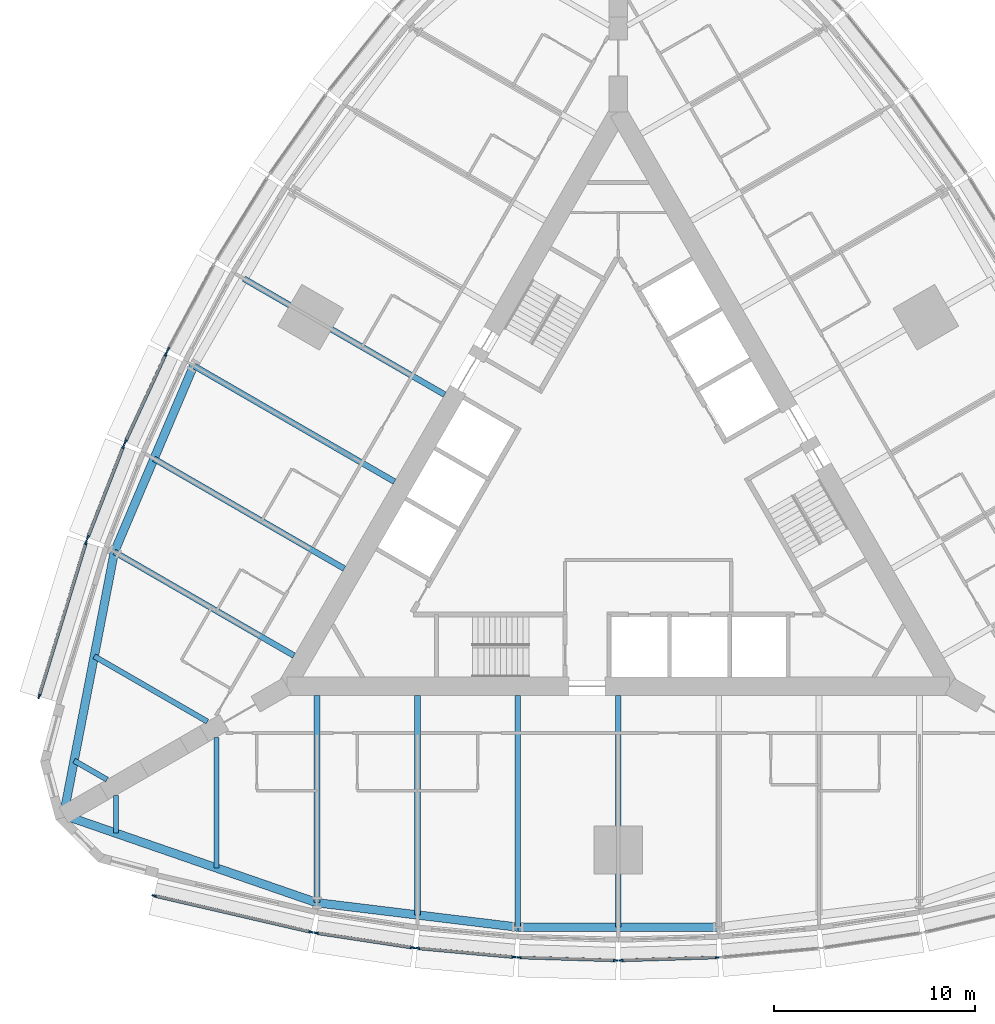
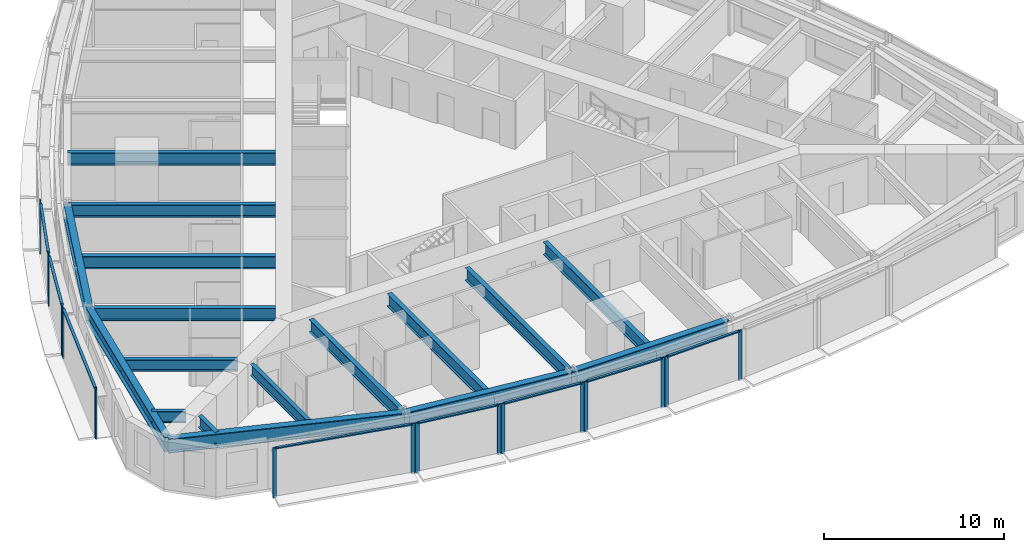
# One storey, part 2 of 14: 25 members, 17 beams, 9 elements without a shape of their own.
"""IFC4 building model written with IfcOpenShell, lengths in metres."""

import ifcopenshell
import ifcopenshell.guid

model = None  # the IFC model being written
_history = None  # IfcOwnerHistory: only IFC2X3 demands one
_inside = {}  # id of a spatial element -> (the spatial element, [elements in it])
_under = {}  # id of a project, library or spatial element -> (it, [spatial elements below it])
_declared = {}  # id of a project -> (the project, [libraries it declares])
_typed = {}  # id of a type object -> (the type object, [elements of that type])
_made_of = {}  # id of a material, layer set ... -> (it, [elements and type objects made of it])


def new_model(schema):
    """Start an empty IFC model of exactly this schema.

    Asked for "IFC4X3", IfcOpenShell would pick the latest addendum, in which some entities
    have other attributes; the version numbers below select the first issue.
    IFC2X3 requires an IfcOwnerHistory on every rooted entity: one is made here for all.
    """
    global model, _history
    if schema == "IFC4X3":
        model = ifcopenshell.file(schema_version=(4, 3, 0, 0))
    else:
        model = ifcopenshell.file(schema=schema)
    _inside.clear()
    _under.clear()
    _declared.clear()
    _typed.clear()
    _made_of.clear()
    _history = None
    if model.schema == "IFC2X3":
        org = make("IfcOrganization", Name="unknown")
        user = make(
            "IfcPersonAndOrganization",
            ThePerson=make("IfcPerson", FamilyName="unknown"),
            TheOrganization=org,
        )
        app = make(
            "IfcApplication",
            ApplicationDeveloper=org,
            Version="unknown",
            ApplicationFullName="unknown",
            ApplicationIdentifier="unknown",
        )
        _history = make(
            "IfcOwnerHistory",
            OwningUser=user,
            OwningApplication=app,
            ChangeAction="ADDED",
            CreationDate=0,
        )
    return model


def make(cls, **values):
    """One entity of the class cls with the attributes given. An attribute that is None is left unset."""
    return model.create_entity(
        cls, **{name: value for name, value in values.items() if value is not None}
    )


def rooted(cls, **values):
    """An entity with a GlobalId (a new one), such as an element, a storey or a relation."""
    return make(cls, GlobalId=ifcopenshell.guid.new(), OwnerHistory=_history, **values)


def si_unit(unit_type, name, prefix=None):
    """IfcSIUnit, for example si_unit("LENGTHUNIT", "METRE", prefix="MILLI")."""
    return make("IfcSIUnit", UnitType=unit_type, Prefix=prefix, Name=name)


def assignment(units):
    """IfcUnitAssignment: the units of a project."""
    return None if units is None else make("IfcUnitAssignment", Units=units)


def point(xyz):
    """IfcCartesianPoint."""
    return None if xyz is None else make("IfcCartesianPoint", Coordinates=xyz)


def direction(xyz):
    """IfcDirection."""
    return None if xyz is None else make("IfcDirection", DirectionRatios=xyz)


def frame(location, z_axis=None, x_axis=None):
    """IfcAxis2Placement3D, a coordinate frame: its origin and axes. An axis left out is left unset."""
    return make(
        "IfcAxis2Placement3D",
        Location=point(location),
        Axis=direction(z_axis),
        RefDirection=direction(x_axis),
    )


def frame_2d(location, x_axis=None):
    """IfcAxis2Placement2D, a coordinate frame in the plane: its origin and x axis."""
    return make(
        "IfcAxis2Placement2D", Location=point(location), RefDirection=direction(x_axis)
    )


def origin():
    """The frame at (0, 0, 0) with its axes left unset."""
    return frame((0.0, 0.0, 0.0))


def origin_2d():
    """The frame at (0, 0) in the plane with its x axis left unset."""
    return frame_2d((0.0, 0.0))


def place(relative_to, where):
    """IfcLocalPlacement: puts the frame where relative to a parent placement (None: the world)."""
    return make(
        "IfcLocalPlacement", PlacementRelTo=relative_to, RelativePlacement=where
    )


def context(
    kind, dimensions, precision=None, world=None, true_north=None, identifier=None
):
    """IfcGeometricRepresentationContext, for example the 3D "Model" context."""
    return make(
        "IfcGeometricRepresentationContext",
        ContextIdentifier=identifier,
        ContextType=kind,
        CoordinateSpaceDimension=dimensions,
        Precision=precision,
        WorldCoordinateSystem=world,
        TrueNorth=true_north,
    )


def subcontext(parent, identifier, kind, view, scale=None):
    """IfcGeometricRepresentationSubContext, for example "Body" below "Model"."""
    return make(
        "IfcGeometricRepresentationSubContext",
        ContextIdentifier=identifier,
        ContextType=kind,
        ParentContext=parent,
        TargetScale=scale,
        TargetView=view,
    )


def project(units=None, contexts=None):
    """IfcProject with its units and contexts."""
    return rooted(
        "IfcProject",
        Name="project",
        RepresentationContexts=contexts,
        UnitsInContext=assignment(units),
    )


def spatial(cls, under=None, at=None, **own):
    """A site, building, storey or space (cls), placed at a placement, below another one or the project."""
    s = rooted(cls, ObjectPlacement=at, **own)
    if under is not None:
        _under.setdefault(under.id(), (under, []))[1].append(s)
    return s


def profile(cls, at=None, kind="AREA", **sizes):
    """A parametric profile (cls). Its sizes go by their IFC names, for example OverallWidth=200.0."""
    return make(cls, ProfileType=kind, Position=at, **sizes)


def rectangle(**sizes):
    """IfcRectangleProfileDef."""
    return profile("IfcRectangleProfileDef", **sizes)


def i_section(**sizes):
    """IfcIShapeProfileDef."""
    return profile("IfcIShapeProfileDef", **sizes)


def extrude(swept, where, along, depth):
    """IfcExtrudedAreaSolid: the profile swept, set in the frame where, extruded along a direction by depth."""
    return make(
        "IfcExtrudedAreaSolid",
        SweptArea=swept,
        Position=where,
        ExtrudedDirection=direction(along),
        Depth=depth,
    )


def shape(context_of_items, identifier, shape_type, items):
    """IfcShapeRepresentation: the items that make up one representation, for example the "Body"."""
    return make(
        "IfcShapeRepresentation",
        ContextOfItems=context_of_items,
        RepresentationIdentifier=identifier,
        RepresentationType=shape_type,
        Items=items,
    )


def material(Name=None, Category=None):
    """IfcMaterial."""
    return make("IfcMaterial", Name=Name, Category=Category)


def material_profile(
    of_material, cross_section, Name=None, Category=None, Priority=None
):
    """IfcMaterialProfile: a cross section and its material."""
    return make(
        "IfcMaterialProfile",
        Name=Name,
        Material=of_material,
        Profile=cross_section,
        Priority=Priority,
        Category=Category,
    )


def profile_set(profiles, Name=None, composite=None):
    """IfcMaterialProfileSet."""
    return make(
        "IfcMaterialProfileSet",
        Name=Name,
        MaterialProfiles=profiles,
        CompositeProfile=composite,
    )


def made_of(thing, what):
    """Note that an element or type object is made of a material, layer set ...; save() writes the relation."""
    if what is not None:
        _made_of.setdefault(what.id(), (what, []))[1].append(thing)
    return thing


def type_object(cls, material=None, **own):
    """A type object (cls), such as IfcWallType, which elements share."""
    return made_of(rooted(cls, **own), material)


def element(
    cls,
    number,
    at=None,
    inside=None,
    cuts=None,
    type_object=None,
    material=None,
    context=None,
    identifier="Body",
    shape_type=None,
    held_by="IfcProductDefinitionShape",
    body=None,
    shapes=None,
    **own,
):
    """One element of the class cls, such as IfcWall. Its Tag is "e" and its number.

    at: its placement. inside: the storey or other place that contains it. cuts: it is an
    opening in that element (IfcRelVoidsElement). A single representation is given by context,
    identifier, shape_type and body (its items); several are given by shapes. held_by: the class
    of the entity that holds the representations. save() writes the other relations.
    """
    e = rooted(cls, Tag="e%d" % number, ObjectPlacement=at, **own)
    if body is not None:
        shapes = [shape(context, identifier, shape_type, body)]
    if shapes is not None:
        e.Representation = make(held_by, Representations=shapes)
    if inside is not None:
        _inside.setdefault(inside.id(), (inside, []))[1].append(e)
    if cuts is not None:
        rooted(
            "IfcRelVoidsElement", RelatingBuildingElement=cuts, RelatedOpeningElement=e
        )
    if type_object is not None:
        _typed.setdefault(type_object.id(), (type_object, []))[1].append(e)
    return made_of(e, material)


def aggregate(whole, parts):
    """IfcRelAggregates: a whole, such as a stair, and the parts it consists of."""
    return rooted("IfcRelAggregates", RelatingObject=whole, RelatedObjects=parts)


def save(model, path):
    """Write the relations noted so far, then the file.

    IfcRelAggregates (storeys below a building ...), IfcRelContainedInSpatialStructure (elements
    in a storey), IfcRelDefinesByType, IfcRelAssociatesMaterial and IfcRelDeclares: one each for
    every whole, place, type object, material and project.
    """
    for whole, parts in _under.values():
        aggregate(whole, parts)
    for where, things in _inside.values():
        rooted(
            "IfcRelContainedInSpatialStructure",
            RelatedElements=things,
            RelatingStructure=where,
        )
    for kind, things in _typed.values():
        rooted("IfcRelDefinesByType", RelatedObjects=things, RelatingType=kind)
    for what, things in _made_of.values():
        rooted("IfcRelAssociatesMaterial", RelatedObjects=things, RelatingMaterial=what)
    for by, libraries in _declared.values():
        rooted("IfcRelDeclares", RelatingContext=by, RelatedDefinitions=libraries)
    model.write(path)


model = new_model("IFC4")

# Units and contexts
model_context = context("Model", 3, precision=1e-05, world=origin(), true_north=direction((0.0, 1.0)))
body_context = subcontext(model_context, "Body", "Model", "MODEL_VIEW")
ifc_project = project(units=[si_unit("LENGTHUNIT", "METRE"), si_unit("AREAUNIT", "SQUARE_METRE"), si_unit("VOLUMEUNIT", "CUBIC_METRE"), si_unit("PLANEANGLEUNIT", "RADIAN"), si_unit("MASSUNIT", "GRAM", prefix="KILO")], contexts=[model_context])

# Site, building, storey
site_placement = place(None, origin())
site = spatial("IfcSite", under=ifc_project, at=site_placement, CompositionType="ELEMENT")
building_placement = place(site_placement, origin())
building = spatial("IfcBuilding", under=site, at=building_placement, Name="Trikona Tower", CompositionType="ELEMENT")
storey_placement = place(building_placement, frame((0.0, 0.0, 42.10009765625)))
storey = spatial("IfcBuildingStorey", under=building, at=storey_placement, Name="L09", CompositionType="ELEMENT", Elevation=42.10009765625)

# Curtain wall, members
ifc_material_1 = material(Name="Aluminium curtain wall system", Category="aluminium")
curtain_wall_type = type_object("IfcCurtainWallType", Name="Curtain wall DS1", PredefinedType="NOTDEFINED", material=ifc_material_1)
curtain_wall_1_placement = place(storey_placement, origin())
curtain_wall_1 = element("IfcCurtainWall", 1, at=curtain_wall_1_placement, inside=storey, type_object=curtain_wall_type, Name="Curtain wall DS1 L09", PredefinedType="NOTDEFINED")
ifc_material_2 = material(Name="Aluminium mullion, pale anodised", Category="aluminium")
ifc_material_profile_1 = material_profile(ifc_material_2, rectangle(XDim=0.080078125, YDim=0.219970703125, at=origin_2d()), Name="MUL-DS1")
ifc_profile_set_1 = profile_set([ifc_material_profile_1], Name="Aluminium mullion, pale anodised")
member_type_1 = type_object("IfcMemberType", Name="Mullion DS1 80x220", PredefinedType="MULLION", material=ifc_profile_set_1)
member_1_placement = place(storey_placement, frame((-23.10546875, -19.951904296875, 0.0), z_axis=(0.0, 0.0, 1.0), x_axis=(0.225343288756, 0.974279427173, 0.0)))
member_1 = element("IfcMember", 2, at=member_1_placement, type_object=member_type_1, Name="CW-DS1 mullion 1", PredefinedType="MULLION", context=body_context, shape_type="SweptSolid", body=[
    extrude(rectangle(XDim=0.080078125, YDim=0.219970703125, at=origin_2d()), origin(), (0.0, 0.0, 1.0), 3.39990234375),
])
member_2_placement = place(storey_placement, frame((-15.30029296875, -21.75732421875, 0.0), z_axis=(0.0, 0.0, 1.0), x_axis=(0.225343288756, 0.974279427173, 0.0)))
member_2 = element("IfcMember", 3, at=member_2_placement, type_object=member_type_1, Name="CW-DS1 mullion 2", PredefinedType="MULLION", context=body_context, shape_type="SweptSolid", body=[
    extrude(rectangle(XDim=0.080078125, YDim=0.219970703125, at=origin_2d()), origin(), (0.0, 0.0, 1.0), 3.39990234375),
])

curtain_wall_2_placement = place(storey_placement, origin())
curtain_wall_2 = element("IfcCurtainWall", 4, at=curtain_wall_2_placement, inside=storey, type_object=curtain_wall_type, Name="Curtain wall DS1 L09", PredefinedType="NOTDEFINED")
member_3_placement = place(storey_placement, frame((-15.03662109375, -21.807861328125, 0.0), z_axis=(0.0, 0.0, 1.0), x_axis=(0.150437693845, 0.988619492156, 0.0)))
member_3 = element("IfcMember", 5, at=member_3_placement, type_object=member_type_1, Name="CW-DS1 mullion 1", PredefinedType="MULLION", context=body_context, shape_type="SweptSolid", body=[
    extrude(rectangle(XDim=0.080078125, YDim=0.219970703125, at=origin_2d()), origin(), (0.0, 0.0, 1.0), 3.39990234375),
])
member_4_placement = place(storey_placement, frame((-10.234130859375, -22.53857421875, 0.0), z_axis=(0.0, 0.0, 1.0), x_axis=(0.150437693845, 0.988619492156, 0.0)))
member_4 = element("IfcMember", 6, at=member_4_placement, type_object=member_type_1, Name="CW-DS1 mullion 2", PredefinedType="MULLION", context=body_context, shape_type="SweptSolid", body=[
    extrude(rectangle(XDim=0.080078125, YDim=0.219970703125, at=origin_2d()), origin(), (0.0, 0.0, 1.0), 3.39990234375),
])

curtain_wall_3_placement = place(storey_placement, origin())
curtain_wall_3 = element("IfcCurtainWall", 7, at=curtain_wall_3_placement, inside=storey, type_object=curtain_wall_type, Name="Curtain wall DS1 L09", PredefinedType="NOTDEFINED")
member_5_placement = place(storey_placement, frame((-9.982177734375, -22.5693359375, 0.0), z_axis=(0.0, 0.0, 1.0), x_axis=(0.090923932737, 0.995857840485, 0.0)))
member_5 = element("IfcMember", 8, at=member_5_placement, type_object=member_type_1, Name="CW-DS1 mullion 1", PredefinedType="MULLION", context=body_context, shape_type="SweptSolid", body=[
    extrude(rectangle(XDim=0.080078125, YDim=0.219970703125, at=origin_2d()), origin(), (0.0, 0.0, 1.0), 3.39990234375),
])
member_6_placement = place(storey_placement, frame((-5.181396484375, -23.007568359375, 0.0), z_axis=(0.0, 0.0, 1.0), x_axis=(0.090923932737, 0.995857840485, 0.0)))
member_6 = element("IfcMember", 9, at=member_6_placement, type_object=member_type_1, Name="CW-DS1 mullion 2", PredefinedType="MULLION", context=body_context, shape_type="SweptSolid", body=[
    extrude(rectangle(XDim=0.080078125, YDim=0.219970703125, at=origin_2d()), origin(), (0.0, 0.0, 1.0), 3.39990234375),
])

curtain_wall_4_placement = place(storey_placement, origin())
curtain_wall_4 = element("IfcCurtainWall", 10, at=curtain_wall_4_placement, inside=storey, type_object=curtain_wall_type, Name="Curtain wall DS1 L09", PredefinedType="NOTDEFINED")
member_7_placement = place(storey_placement, frame((-4.927490234375, -23.02294921875, 0.0), z_axis=(0.0, 0.0, 1.0), x_axis=(0.030436711692, 0.999536695965, 0.0)))
member_7 = element("IfcMember", 11, at=member_7_placement, type_object=member_type_1, Name="CW-DS1 mullion 1", PredefinedType="MULLION", context=body_context, shape_type="SweptSolid", body=[
    extrude(rectangle(XDim=0.080078125, YDim=0.219970703125, at=origin_2d()), origin(), (0.0, 0.0, 1.0), 3.39990234375),
])
member_8_placement = place(storey_placement, frame((-0.12744140625, -23.169189453125, 0.0), z_axis=(0.0, 0.0, 1.0), x_axis=(0.030436711692, 0.999536695965, 0.0)))
member_8 = element("IfcMember", 12, at=member_8_placement, type_object=member_type_1, Name="CW-DS1 mullion 2", PredefinedType="MULLION", context=body_context, shape_type="SweptSolid", body=[
    extrude(rectangle(XDim=0.080078125, YDim=0.219970703125, at=origin_2d()), origin(), (0.0, 0.0, 1.0), 3.39990234375),
])

curtain_wall_5_placement = place(storey_placement, origin())
curtain_wall_5 = element("IfcCurtainWall", 13, at=curtain_wall_5_placement, inside=storey, type_object=curtain_wall_type, Name="Curtain wall DS1 L09", PredefinedType="NOTDEFINED")
member_9_placement = place(storey_placement, frame((0.12744140625, -23.169189453125, 0.0), z_axis=(0.0, 0.0, 1.0), x_axis=(-0.030436711692, 0.999536695965, 0.0)))
member_9 = element("IfcMember", 14, at=member_9_placement, type_object=member_type_1, Name="CW-DS1 mullion 1", PredefinedType="MULLION", context=body_context, shape_type="SweptSolid", body=[
    extrude(rectangle(XDim=0.080078125, YDim=0.219970703125, at=origin_2d()), origin(), (0.0, 0.0, 1.0), 3.39990234375),
])
member_10_placement = place(storey_placement, frame((4.927490234375, -23.02294921875, 0.0), z_axis=(0.0, 0.0, 1.0), x_axis=(-0.030436711692, 0.999536695965, 0.0)))
member_10 = element("IfcMember", 15, at=member_10_placement, type_object=member_type_1, Name="CW-DS1 mullion 2", PredefinedType="MULLION", context=body_context, shape_type="SweptSolid", body=[
    extrude(rectangle(XDim=0.080078125, YDim=0.219970703125, at=origin_2d()), origin(), (0.0, 0.0, 1.0), 3.39990234375),
])

# Curtain wall, member
curtain_wall_6_placement = place(storey_placement, origin())
curtain_wall_6 = element("IfcCurtainWall", 16, at=curtain_wall_6_placement, inside=storey, type_object=curtain_wall_type, Name="Curtain wall DS1 L09", PredefinedType="NOTDEFINED")
member_11_placement = place(storey_placement, frame((-22.402099609375, 7.244140625, 0.0), z_axis=(0.0, 0.0, 1.0), x_axis=(0.880843080975, -0.473408350896, 0.0)))
member_11 = element("IfcMember", 17, at=member_11_placement, type_object=member_type_1, Name="CW-DS1 mullion 2", PredefinedType="MULLION", context=body_context, shape_type="SweptSolid", body=[
    extrude(rectangle(XDim=0.080078125, YDim=0.219970703125, at=origin_2d()), origin(), (0.0, 0.0, 1.0), 3.39990234375),
])
aggregate(curtain_wall_6, [member_11])

# Curtain wall, members
curtain_wall_7_placement = place(storey_placement, origin())
curtain_wall_7 = element("IfcCurtainWall", 18, at=curtain_wall_7_placement, inside=storey, type_object=curtain_wall_type, Name="Curtain wall DS1 L09", PredefinedType="NOTDEFINED")
member_12_placement = place(storey_placement, frame((-22.515869140625, 7.0166015625, 0.0), z_axis=(0.0, 0.0, 1.0), x_axis=(0.907898459992, -0.419190155352, 0.0)))
member_12 = element("IfcMember", 19, at=member_12_placement, type_object=member_type_1, Name="CW-DS1 mullion 1", PredefinedType="MULLION", context=body_context, shape_type="SweptSolid", body=[
    extrude(rectangle(XDim=0.080078125, YDim=0.219970703125, at=origin_2d()), origin(), (0.0, 0.0, 1.0), 3.39990234375),
])
member_13_placement = place(storey_placement, frame((-24.53662109375, 2.6396484375, 0.0), z_axis=(0.0, 0.0, 1.0), x_axis=(0.907898459992, -0.419190155352, 0.0)))
member_13 = element("IfcMember", 20, at=member_13_placement, type_object=member_type_1, Name="CW-DS1 mullion 2", PredefinedType="MULLION", context=body_context, shape_type="SweptSolid", body=[
    extrude(rectangle(XDim=0.080078125, YDim=0.219970703125, at=origin_2d()), origin(), (0.0, 0.0, 1.0), 3.39990234375),
])

curtain_wall_8_placement = place(storey_placement, origin())
curtain_wall_8 = element("IfcCurtainWall", 21, at=curtain_wall_8_placement, inside=storey, type_object=curtain_wall_type, Name="Curtain wall DS1 L09", PredefinedType="NOTDEFINED")
member_14_placement = place(storey_placement, frame((-24.63623046875, 2.40625, 0.0), z_axis=(0.0, 0.0, 1.0), x_axis=(0.931395989443, -0.36400756977, 0.0)))
member_14 = element("IfcMember", 22, at=member_14_placement, type_object=member_type_1, Name="CW-DS1 mullion 1", PredefinedType="MULLION", context=body_context, shape_type="SweptSolid", body=[
    extrude(rectangle(XDim=0.080078125, YDim=0.219970703125, at=origin_2d()), origin(), (0.0, 0.0, 1.0), 3.39990234375),
])
member_15_placement = place(storey_placement, frame((-26.404296875, -2.1181640625, 0.0), z_axis=(0.0, 0.0, 1.0), x_axis=(0.931395989443, -0.36400756977, 0.0)))
member_15 = element("IfcMember", 23, at=member_15_placement, type_object=member_type_1, Name="CW-DS1 mullion 2", PredefinedType="MULLION", context=body_context, shape_type="SweptSolid", body=[
    extrude(rectangle(XDim=0.080078125, YDim=0.219970703125, at=origin_2d()), origin(), (0.0, 0.0, 1.0), 3.39990234375),
])

curtain_wall_9_placement = place(storey_placement, origin())
curtain_wall_9 = element("IfcCurtainWall", 24, at=curtain_wall_9_placement, inside=storey, type_object=curtain_wall_type, Name="Curtain wall DS1 L09", PredefinedType="NOTDEFINED")
member_16_placement = place(storey_placement, frame((-26.492431640625, -2.371826171875, 0.0), z_axis=(0.0, 0.0, 1.0), x_axis=(0.956423115383, -0.291984287868, 0.0)))
member_16 = element("IfcMember", 25, at=member_16_placement, type_object=member_type_1, Name="CW-DS1 mullion 1", PredefinedType="MULLION", context=body_context, shape_type="SweptSolid", body=[
    extrude(rectangle(XDim=0.080078125, YDim=0.219970703125, at=origin_2d()), origin(), (0.0, 0.0, 1.0), 3.39990234375),
])
member_17_placement = place(storey_placement, frame((-28.83154296875, -10.033935546875, 0.0), z_axis=(0.0, 0.0, 1.0), x_axis=(0.956423115383, -0.291984287868, 0.0)))
member_17 = element("IfcMember", 26, at=member_17_placement, type_object=member_type_1, Name="CW-DS1 mullion 2", PredefinedType="MULLION", context=body_context, shape_type="SweptSolid", body=[
    extrude(rectangle(XDim=0.080078125, YDim=0.219970703125, at=origin_2d()), origin(), (0.0, 0.0, 1.0), 3.39990234375),
])

# Beams
ifc_material_3 = material(Name="Steel ASTM A992 Grade 50", Category="steel")
ifc_material_profile_2 = material_profile(ifc_material_3, i_section(OverallWidth=0.2666015625, OverallDepth=0.76953125, WebThickness=0.015625, FlangeThickness=0.025390625, at=origin_2d()), Name="W30X132")
ifc_profile_set_2 = profile_set([ifc_material_profile_2], Name="Steel ASTM A992 Grade 50")
beam_type_1 = type_object("IfcBeamType", Name="Steel beam W30x132 (wedge)", PredefinedType="BEAM", material=ifc_profile_set_2)
beam_1_placement = place(storey_placement, frame((-25.0, -14.953369140625, 2.85009765625), z_axis=(0.0, -1.0, 0.0), x_axis=(1.0, 0.0, 0.0)))
element("IfcBeam", 27, at=beam_1_placement, inside=storey, type_object=beam_type_1, Name="Floor beam L10 F1 u-25", PredefinedType="BEAM", context=body_context, shape_type="SweptSolid", body=[
    extrude(i_section(OverallWidth=0.2666015625, OverallDepth=0.76953125, WebThickness=0.015625, FlangeThickness=0.025390625, at=origin_2d()), origin(), (0.0, 0.0, 1.0), 1.890380859375),
])
for number, where, z_axis, x_axis, name in (
    (28, (-20.0, -12.066650390625, 2.85009765625), (0.0, -1.0, 0.0), (1.0, 0.0, 0.0), "Floor beam L10 F1 u-20"),
    (29, (-20.449951171875, -11.287109375, 2.85009765625), (-0.866022504693, 0.50000502134, 0.0), (-0.50000502134, -0.866022504693, 0.0), "Floor beam L10 F3 u20"),
):
    element("IfcBeam", number, at=place(storey_placement, frame(where, z_axis=z_axis, x_axis=x_axis)), inside=storey, type_object=beam_type_1, Name=name, PredefinedType="BEAM", context=body_context, shape_type="SweptSolid", body=[
        extrude(i_section(OverallWidth=0.2666015625, OverallDepth=0.76953125, WebThickness=0.015625, FlangeThickness=0.025390625, at=origin_2d()), origin(), (0.0, 0.0, 1.0), 6.5068359375),
    ])
beam_2_placement = place(storey_placement, frame((-25.449951171875, -14.173828125, 2.85009765625), z_axis=(-0.866065156741, 0.499931139538, 0.0), x_axis=(-0.499931139538, -0.866065156741, 0.0)))
element("IfcBeam", 30, at=beam_2_placement, inside=storey, type_object=beam_type_1, Name="Floor beam L10 F3 u25", PredefinedType="BEAM", context=body_context, shape_type="SweptSolid", body=[
    extrude(i_section(OverallWidth=0.2666015625, OverallDepth=0.76953125, WebThickness=0.015625, FlangeThickness=0.025390625, at=origin_2d()), origin(), (0.0, 0.0, 1.0), 1.890380859375),
])
ifc_material_4 = material(Name="Steel ASTM A992 Grade 50", Category="steel")
ifc_material_profile_3 = material_profile(ifc_material_4, i_section(OverallWidth=0.2919921875, OverallDepth=0.845703125, WebThickness=0.015380859375, FlangeThickness=0.0244140625, at=origin_2d()), Name="W33X141")
ifc_profile_set_3 = profile_set([ifc_material_profile_3], Name="Steel ASTM A992 Grade 50")
beam_type_2 = type_object("IfcBeamType", Name="Steel beam W33x141 (radial typ)", PredefinedType="BEAM", material=ifc_profile_set_3)
beam_3_placement = place(storey_placement, frame((-15.0, -9.976318359375, 2.81201171875), z_axis=(0.0, -1.0, 0.0), x_axis=(1.0, 0.0, 0.0)))
element("IfcBeam", 31, at=beam_3_placement, inside=storey, type_object=beam_type_2, Name="Floor beam L10 F1 u-15", PredefinedType="BEAM", context=body_context, shape_type="SweptSolid", body=[
    extrude(i_section(OverallWidth=0.2919921875, OverallDepth=0.845703125, WebThickness=0.015380859375, FlangeThickness=0.0244140625, at=origin_2d()), origin(), (0.0, 0.0, 1.0), 10.32666015625),
])
beam_4_placement = place(storey_placement, frame((-10.0, -9.976318359375, 2.81201171875), z_axis=(0.0, -1.0, 0.0), x_axis=(1.0, 0.0, 0.0)))
element("IfcBeam", 32, at=beam_4_placement, inside=storey, type_object=beam_type_2, Name="Floor beam L10 F1 u-10", PredefinedType="BEAM", context=body_context, shape_type="SweptSolid", body=[
    extrude(i_section(OverallWidth=0.2919921875, OverallDepth=0.845703125, WebThickness=0.015380859375, FlangeThickness=0.0244140625, at=origin_2d()), origin(), (0.0, 0.0, 1.0), 10.935302734375),
])
for number, where, z_axis, x_axis, name in (
    (33, (-5.0, -9.976318359375, 2.81201171875), (0.0, -1.0, 0.0), (1.0, 0.0, 0.0), "Floor beam L10 F1 u-5"),
    (34, (0.0, -9.976318359375, 2.81201171875), (0.0, -1.0, 0.0), (1.0, 0.0, 0.0), "Floor beam L10 F1 u0"),
    (35, (-8.6396484375, 4.988037109375, 2.81201171875), (-0.866020765707, 0.500008033299, 0.0), (-0.500008033299, -0.866020765707, 0.0), "Floor beam L10 F3 u0"),
    (36, (-11.1396484375, 0.657958984375, 2.81201171875), (-0.866020765707, 0.500008033299, 0.0), (-0.500008033299, -0.866020765707, 0.0), "Floor beam L10 F3 u5"),
):
    element("IfcBeam", number, at=place(storey_placement, frame(where, z_axis=z_axis, x_axis=x_axis)), inside=storey, type_object=beam_type_2, Name=name, PredefinedType="BEAM", context=body_context, shape_type="SweptSolid", body=[
        extrude(i_section(OverallWidth=0.2919921875, OverallDepth=0.845703125, WebThickness=0.015380859375, FlangeThickness=0.0244140625, at=origin_2d()), origin(), (0.0, 0.0, 1.0), 11.544189453125),
    ])
beam_5_placement = place(storey_placement, frame((-13.6396484375, -3.672119140625, 2.81201171875), z_axis=(-0.866025348605, 0.500000095573, 0.0), x_axis=(-0.500000095573, -0.866025348605, 0.0)))
element("IfcBeam", 37, at=beam_5_placement, inside=storey, type_object=beam_type_2, Name="Floor beam L10 F3 u10", PredefinedType="BEAM", context=body_context, shape_type="SweptSolid", body=[
    extrude(i_section(OverallWidth=0.2919921875, OverallDepth=0.845703125, WebThickness=0.015380859375, FlangeThickness=0.0244140625, at=origin_2d()), origin(), (0.0, 0.0, 1.0), 10.935546875),
])
beam_6_placement = place(storey_placement, frame((-16.1396484375, -8.002197265625, 2.81201171875), z_axis=(-0.866030471684, 0.499991222037, 0.0), x_axis=(-0.499991222037, -0.866030471684, 0.0)))
element("IfcBeam", 38, at=beam_6_placement, inside=storey, type_object=beam_type_2, Name="Floor beam L10 F3 u15", PredefinedType="BEAM", context=body_context, shape_type="SweptSolid", body=[
    extrude(i_section(OverallWidth=0.2919921875, OverallDepth=0.845703125, WebThickness=0.015380859375, FlangeThickness=0.0244140625, at=origin_2d()), origin(), (0.0, 0.0, 1.0), 10.326904296875),
])
ifc_material_5 = material(Name="Steel ASTM A992 Grade 50", Category="steel")
ifc_material_profile_4 = material_profile(ifc_material_5, i_section(OverallWidth=0.424072265625, OverallDepth=0.947509765625, WebThickness=0.02392578125, FlangeThickness=0.042724609375, at=origin_2d()), Name="W36X302")
ifc_profile_set_4 = profile_set([ifc_material_profile_4], Name="Steel ASTM A992 Grade 50")
beam_type_3 = type_object("IfcBeamType", Name="Steel beam W36x302 (spandrel)", PredefinedType="SPANDREL", material=ifc_profile_set_4)
beam_7_placement = place(storey_placement, frame((-27.6103515625, -15.94091796875, 2.76123046875), z_axis=(0.945056965739, -0.326905692071, 0.0), x_axis=(0.326905692071, 0.945056965739, 0.0)))
element("IfcBeam", 39, at=beam_7_placement, inside=storey, type_object=beam_type_3, Name="Spandrel beam L10 F1-1", PredefinedType="SPANDREL", context=body_context, shape_type="SweptSolid", body=[
    extrude(i_section(OverallWidth=0.424072265625, OverallDepth=0.947509765625, WebThickness=0.02392578125, FlangeThickness=0.042724609375, at=origin_2d()), origin(), (0.0, 0.0, 1.0), 13.343505859375),
])
beam_8_placement = place(storey_placement, frame((-15.0, -20.302978515625, 2.76123046875), z_axis=(0.99266951126, -0.120860421207, 0.0), x_axis=(0.120860421207, 0.99266951126, 0.0)))
element("IfcBeam", 40, at=beam_8_placement, inside=storey, type_object=beam_type_3, Name="Spandrel beam L10 F1-2", PredefinedType="SPANDREL", context=body_context, shape_type="SweptSolid", body=[
    extrude(i_section(OverallWidth=0.424072265625, OverallDepth=0.947509765625, WebThickness=0.02392578125, FlangeThickness=0.042724609375, at=origin_2d()), origin(), (0.0, 0.0, 1.0), 10.07373046875),
])
beam_9_placement = place(storey_placement, frame((-5.0, -21.5205078125, 2.76123046875), z_axis=(1.0, 0.0, 0.0), x_axis=(0.0, 1.0, 0.0)))
element("IfcBeam", 41, at=beam_9_placement, inside=storey, type_object=beam_type_3, Name="Spandrel beam L10 F1-3", PredefinedType="SPANDREL", context=body_context, shape_type="SweptSolid", body=[
    extrude(i_section(OverallWidth=0.424072265625, OverallDepth=0.947509765625, WebThickness=0.02392578125, FlangeThickness=0.042724609375, at=origin_2d()), origin(), (0.0, 0.0, 1.0), 10.0),
])
beam_10_placement = place(storey_placement, frame((-21.13720703125, 6.43017578125, 2.76123046875), z_axis=(-0.391683514847, -0.920100007715, 0.0), x_axis=(0.920100007715, -0.391683514847, 0.0)))
element("IfcBeam", 42, at=beam_10_placement, inside=storey, type_object=beam_type_3, Name="Spandrel beam L10 F3-4", PredefinedType="SPANDREL", context=body_context, shape_type="SweptSolid", body=[
    extrude(i_section(OverallWidth=0.424072265625, OverallDepth=0.947509765625, WebThickness=0.02392578125, FlangeThickness=0.042724609375, at=origin_2d()), origin(), (0.0, 0.0, 1.0), 10.073974609375),
])
beam_11_placement = place(storey_placement, frame((-25.0830078125, -2.8388671875, 2.76123046875), z_axis=(-0.189405184036, -0.981899015307, 0.0), x_axis=(0.981899015307, -0.189405184036, 0.0)))
element("IfcBeam", 43, at=beam_11_placement, inside=storey, type_object=beam_type_3, Name="Spandrel beam L10 F3-5", PredefinedType="SPANDREL", context=body_context, shape_type="SweptSolid", body=[
    extrude(i_section(OverallWidth=0.424072265625, OverallDepth=0.947509765625, WebThickness=0.02392578125, FlangeThickness=0.042724609375, at=origin_2d()), origin(), (0.0, 0.0, 1.0), 13.343505859375),
])

# Member
ifc_material_6 = material(Name="Aluminium transom, pale anodised", Category="aluminium")
ifc_material_profile_5 = material_profile(ifc_material_6, rectangle(XDim=0.159912109375, YDim=0.080078125, at=origin_2d()), Name="TRN-DS1")
ifc_profile_set_5 = profile_set([ifc_material_profile_5], Name="Aluminium transom, pale anodised")
member_type_2 = type_object("IfcMemberType", Name="Transom DS1 80x160", PredefinedType="USERDEFINED", material=ifc_profile_set_5)
member_18_placement = place(storey_placement, frame((-23.06640625, -19.9609375, 3.35986328125), z_axis=(0.974275371842, -0.225360821398, 0.0), x_axis=(0.225360821398, 0.974275371842, 0.0)))
member_18 = element("IfcMember", 44, at=member_18_placement, type_object=member_type_2, Name="CW-DS1 transom 1.1", ObjectType="TRANSOM", PredefinedType="USERDEFINED", context=body_context, shape_type="SweptSolid", body=[
    extrude(rectangle(XDim=0.159912109375, YDim=0.080078125, at=origin_2d()), origin(), (0.0, 0.0, 1.0), 7.93115234375),
])

aggregate(curtain_wall_1, [member_1, member_2, member_18])

member_19_placement = place(storey_placement, frame((-14.9970703125, -21.813720703125, 3.35986328125), z_axis=(0.988619663412, -0.150436568413, 0.0), x_axis=(0.150436568413, 0.988619663412, 0.0)))
member_19 = element("IfcMember", 45, at=member_19_placement, type_object=member_type_2, Name="CW-DS1 transom 1.1", ObjectType="TRANSOM", PredefinedType="USERDEFINED", context=body_context, shape_type="SweptSolid", body=[
    extrude(rectangle(XDim=0.159912109375, YDim=0.080078125, at=origin_2d()), origin(), (0.0, 0.0, 1.0), 4.77783203125),
])

aggregate(curtain_wall_2, [member_3, member_4, member_19])

member_20_placement = place(storey_placement, frame((-9.9423828125, -22.57275390625, 3.35986328125), z_axis=(0.995855977008, -0.090944340438, 0.0), x_axis=(0.090944340438, 0.995855977008, 0.0)))
member_20 = element("IfcMember", 46, at=member_20_placement, type_object=member_type_2, Name="CW-DS1 transom 1.1", ObjectType="TRANSOM", PredefinedType="USERDEFINED", context=body_context, shape_type="SweptSolid", body=[
    extrude(rectangle(XDim=0.159912109375, YDim=0.080078125, at=origin_2d()), origin(), (0.0, 0.0, 1.0), 4.74072265625),
])

aggregate(curtain_wall_3, [member_5, member_6, member_20])

member_21_placement = place(storey_placement, frame((-4.887451171875, -23.024169921875, 3.35986328125), z_axis=(0.999536232946, -0.030451913371, 0.0), x_axis=(0.030451913371, 0.999536232946, 0.0)))
member_21 = element("IfcMember", 47, at=member_21_placement, type_object=member_type_2, Name="CW-DS1 transom 1.1", ObjectType="TRANSOM", PredefinedType="USERDEFINED", context=body_context, shape_type="SweptSolid", body=[
    extrude(rectangle(XDim=0.159912109375, YDim=0.080078125, at=origin_2d()), origin(), (0.0, 0.0, 1.0), 4.72216796875),
])

aggregate(curtain_wall_4, [member_7, member_8, member_21])

member_22_placement = place(storey_placement, frame((0.16748046875, -23.16796875, 3.35986328125), z_axis=(0.999536232946, 0.030451913371, 0.0), x_axis=(-0.030451913371, 0.999536232946, 0.0)))
member_22 = element("IfcMember", 48, at=member_22_placement, type_object=member_type_2, Name="CW-DS1 transom 1.1", ObjectType="TRANSOM", PredefinedType="USERDEFINED", context=body_context, shape_type="SweptSolid", body=[
    extrude(rectangle(XDim=0.159912109375, YDim=0.080078125, at=origin_2d()), origin(), (0.0, 0.0, 1.0), 4.72216796875),
])

aggregate(curtain_wall_5, [member_9, member_10, member_22])

member_23_placement = place(storey_placement, frame((-22.53271484375, 6.980224609375, 3.35986328125), z_axis=(-0.419188800665, -0.90789908547, 0.0), x_axis=(0.90789908547, -0.419188800665, 0.0)))
member_23 = element("IfcMember", 49, at=member_23_placement, type_object=member_type_2, Name="CW-DS1 transom 1.1", ObjectType="TRANSOM", PredefinedType="USERDEFINED", context=body_context, shape_type="SweptSolid", body=[
    extrude(rectangle(XDim=0.159912109375, YDim=0.080078125, at=origin_2d()), origin(), (0.0, 0.0, 1.0), 4.74072265625),
])

aggregate(curtain_wall_7, [member_12, member_13, member_23])

member_24_placement = place(storey_placement, frame((-24.650634765625, 2.368896484375, 3.35986328125), z_axis=(-0.364048647668, -0.931379934362, 0.0), x_axis=(0.931379934362, -0.364048647668, 0.0)))
member_24 = element("IfcMember", 50, at=member_24_placement, type_object=member_type_2, Name="CW-DS1 transom 1.1", ObjectType="TRANSOM", PredefinedType="USERDEFINED", context=body_context, shape_type="SweptSolid", body=[
    extrude(rectangle(XDim=0.159912109375, YDim=0.080078125, at=origin_2d()), origin(), (0.0, 0.0, 1.0), 4.777587890625),
])

aggregate(curtain_wall_8, [member_14, member_15, member_24])

member_25_placement = place(storey_placement, frame((-26.504150390625, -2.409912109375, 3.35986328125), z_axis=(-0.291967490203, -0.956428243343, 0.0), x_axis=(0.956428243343, -0.291967490203, 0.0)))
member_25 = element("IfcMember", 51, at=member_25_placement, type_object=member_type_2, Name="CW-DS1 transom 1.1", ObjectType="TRANSOM", PredefinedType="USERDEFINED", context=body_context, shape_type="SweptSolid", body=[
    extrude(rectangle(XDim=0.159912109375, YDim=0.080078125, at=origin_2d()), origin(), (0.0, 0.0, 1.0), 7.93115234375),
])

aggregate(curtain_wall_9, [member_16, member_17, member_25])

save(model, "model.ifc")
